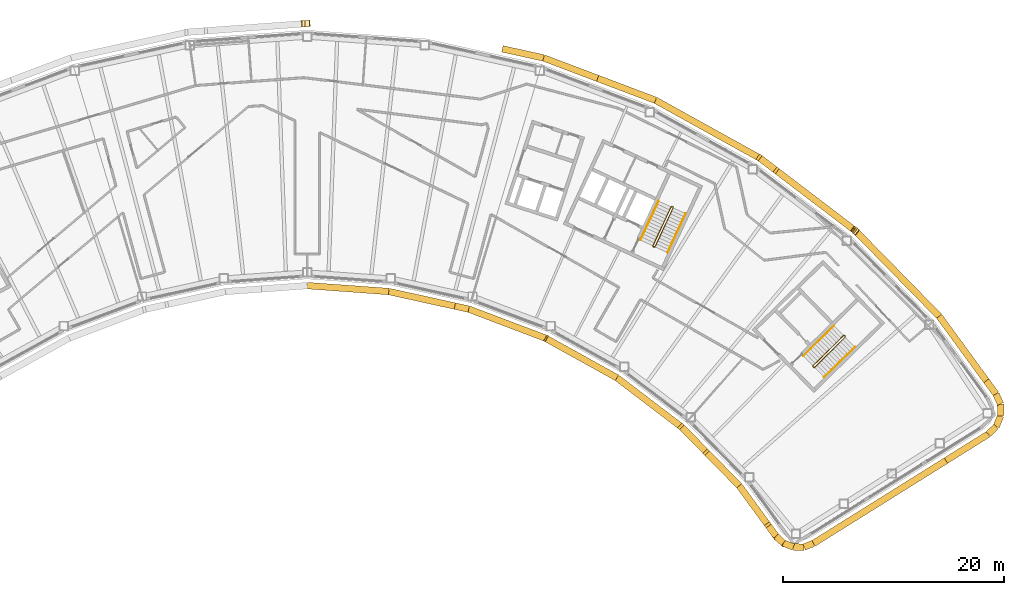
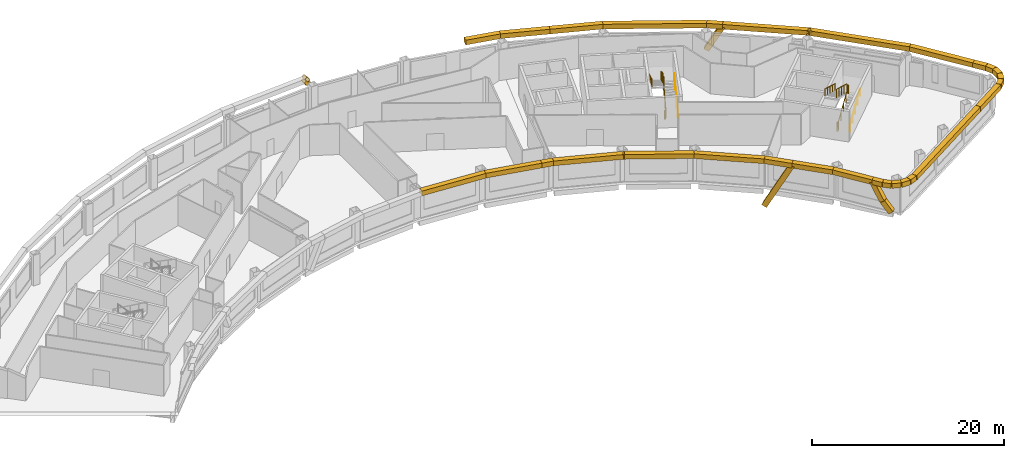
# One storey, part 13 of 13: 39 coverings, 6 railings.
"""IFC4 building model written with IfcOpenShell, lengths in metres."""

from ifc_helpers import new_model, si_unit, direction, frame, origin, origin_2d, place, context, subcontext, project, spatial, rectangle, circle, extrude, material, material_profile, profile_set, type_object, element, save


model = new_model("IFC4")

# Units and contexts
model_context = context("Model", 3, precision=1e-05, world=origin(), true_north=direction((0.0, 1.0)))
body_context = subcontext(model_context, "Body", "Model", "MODEL_VIEW")
ifc_project = project(units=[si_unit("LENGTHUNIT", "METRE"), si_unit("AREAUNIT", "SQUARE_METRE"), si_unit("VOLUMEUNIT", "CUBIC_METRE"), si_unit("PLANEANGLEUNIT", "RADIAN"), si_unit("MASSUNIT", "GRAM", prefix="KILO")], contexts=[model_context])

# Site, building, storey
site_placement = place(None, origin())
site = spatial("IfcSite", under=ifc_project, at=site_placement, CompositionType="ELEMENT")
building_placement = place(site_placement, origin())
building = spatial("IfcBuilding", under=site, at=building_placement, Name="Tuul Gate Civic Tower", CompositionType="ELEMENT")
storey_placement = place(building_placement, frame((0.0, 0.0, 340.699951171875)))
storey = spatial("IfcBuildingStorey", under=building, at=storey_placement, Name="Level 77", CompositionType="ELEMENT", Elevation=340.699951171875)

# Railings
ifc_material_1 = material(Name="Painted steel", Category="steel")
railing_type_1 = type_object("IfcRailingType", Name="Stair guard", PredefinedType="GUARDRAIL", material=ifc_material_1)
railing_1_placement = place(storey_placement, frame((48.10546875, -16.134765625, 0.0)))
element("IfcRailing", 1, at=railing_1_placement, inside=storey, type_object=railing_type_1, Name="Level 77 ST-3 stair guard 1", PredefinedType="GUARDRAIL", context=body_context, shape_type="SweptSolid", body=[
    extrude(circle(Radius=0.02392578125, at=origin_2d()), frame((0.0, 0.0, 1.076171875), z_axis=(-0.698506948293, 0.715603272202, 0.0), x_axis=(-0.715603272202, -0.698506948293, 0.0)), (0.0, 0.0, 1.0), 0.099853515625),
    extrude(circle(Radius=0.02392578125, at=origin_2d()), frame((-0.06982421875, 0.071533203125, 1.076171875), z_axis=(0.644948864628, -0.331432055434, 0.688617277337), x_axis=(0.457068866502, 0.889431307788, 0.0)), (0.0, 0.0, 1.0), 0.218017578125),
    extrude(circle(Radius=0.02392578125, at=origin_2d()), frame((0.07080078125, -0.000732421875, 1.22607421875), z_axis=(0.638731261263, 0.626133563701, 0.447190268558), x_axis=(-0.700029477518, 0.714113947914, 0.0)), (0.0, 0.0, 1.0), 4.3603515625),
    extrude(circle(Radius=0.02392578125, at=origin_2d()), frame((2.85595703125, 2.7294921875, 3.17626953125), z_axis=(0.010380063588, 0.999946125689, 0.0), x_axis=(-0.999946125689, 0.010380063588, 0.0)), (0.0, 0.0, 1.0), 0.070556640625),
    extrude(circle(Radius=0.02392578125, at=origin_2d()), frame((2.856689453125, 2.800048828125, 3.17626953125), z_axis=(-0.699754442181, 0.714383454909, 0.0), x_axis=(-0.714383454909, -0.699754442181, 0.0)), (0.0, 0.0, 1.0), 0.10009765625),
    extrude(circle(Radius=0.02392578125, at=origin_2d()), frame((2.78662109375, 2.87158203125, 3.17626953125), z_axis=(-0.427069033481, 0.004417955519, 0.904208229508), x_axis=(-0.010344274102, -0.999946496565, 0.0)), (0.0, 0.0, 1.0), 0.165771484375),
    extrude(circle(Radius=0.02392578125, at=origin_2d()), frame((2.7158203125, 2.872314453125, 3.326171875), z_axis=(-0.638731261263, -0.626133563701, 0.447190268558), x_axis=(0.700029477518, -0.714113947914, 0.0)), (0.0, 0.0, 1.0), 4.3603515625),
    extrude(circle(Radius=0.02099609375, at=origin_2d()), origin(), (0.0, 0.0, 1.0), 1.052001953125),
    extrude(circle(Radius=0.02099609375, at=origin_2d()), frame((-0.06982421875, 0.071533203125, 0.0)), (0.0, 0.0, 1.0), 1.052001953125),
    extrude(circle(Radius=0.02099609375, at=origin_2d()), frame((0.07080078125, -0.000732421875, 0.150146484375)), (0.0, 0.0, 1.0), 1.052001953125),
    extrude(circle(Radius=0.02099609375, at=origin_2d()), frame((0.76708984375, 0.681884765625, 0.6376953125)), (0.0, 0.0, 1.0), 1.052001953125),
    extrude(circle(Radius=0.02099609375, at=origin_2d()), frame((1.46337890625, 1.3642578125, 1.125)), (0.0, 0.0, 1.0), 1.052001953125),
    extrude(circle(Radius=0.02099609375, at=origin_2d()), frame((2.15966796875, 2.046875, 1.612548828125)), (0.0, 0.0, 1.0), 1.052001953125),
    extrude(circle(Radius=0.02099609375, at=origin_2d()), frame((2.85595703125, 2.7294921875, 2.10009765625)), (0.0, 0.0, 1.0), 1.052001953125),
    extrude(circle(Radius=0.02099609375, at=origin_2d()), frame((2.856689453125, 2.800048828125, 2.10009765625)), (0.0, 0.0, 1.0), 1.052001953125),
    extrude(circle(Radius=0.02099609375, at=origin_2d()), frame((2.78662109375, 2.87158203125, 2.10009765625)), (0.0, 0.0, 1.0), 1.052001953125),
    extrude(circle(Radius=0.02099609375, at=origin_2d()), frame((2.7158203125, 2.872314453125, 2.25)), (0.0, 0.0, 1.0), 1.052001953125),
    extrude(circle(Radius=0.02099609375, at=origin_2d()), frame((2.01953125, 2.189697265625, 2.737548828125)), (0.0, 0.0, 1.0), 1.052001953125),
    extrude(circle(Radius=0.02099609375, at=origin_2d()), frame((1.3232421875, 1.50732421875, 3.22509765625)), (0.0, 0.0, 1.0), 1.052001953125),
    extrude(circle(Radius=0.02099609375, at=origin_2d()), frame((0.626953125, 0.82470703125, 3.71240234375)), (0.0, 0.0, 1.0), 1.052001953125),
    extrude(circle(Radius=0.02099609375, at=origin_2d()), frame((-0.0693359375, 0.14208984375, 4.199951171875)), (0.0, 0.0, 1.0), 1.052001953125),
])
railing_2_placement = place(storey_placement, frame((33.645751953125, -5.238525390625, 0.0)))
element("IfcRailing", 2, at=railing_2_placement, inside=storey, type_object=railing_type_1, Name="Level 77 ST-4 stair guard 1", PredefinedType="GUARDRAIL", context=body_context, shape_type="SweptSolid", body=[
    extrude(circle(Radius=0.02392578125, at=origin_2d()), frame((0.0, 0.0, 1.076171875), z_axis=(-0.906307919131, 0.422617978463, 0.0), x_axis=(-0.422617978463, -0.906307919131, 0.0)), (0.0, 0.0, 1.0), 0.099853515625),
    extrude(circle(Radius=0.02392578125, at=origin_2d()), frame((-0.090576171875, 0.042236328125, 1.076171875), z_axis=(0.720179819621, -0.082882280952, 0.688818956559), x_axis=(0.114330889033, 0.993442724979, 0.0)), (0.0, 0.0, 1.0), 0.218017578125),
    extrude(circle(Radius=0.02392578125, at=origin_2d()), frame((0.06640625, 0.024169921875, 1.22607421875), z_axis=(0.377946903738, 0.810654114417, 0.447209173356), x_axis=(-0.906336612539, 0.422556439746, 0.0)), (0.0, 0.0, 1.0), 4.3603515625),
    extrude(circle(Radius=0.02392578125, at=origin_2d()), frame((1.71435546875, 3.558837890625, 3.17626953125), z_axis=(-0.342020437038, 0.939692513883, 0.0), x_axis=(-0.939692513883, -0.342020437038, 0.0)), (0.0, 0.0, 1.0), 0.070556640625),
    extrude(circle(Radius=0.02392578125, at=origin_2d()), frame((1.690185546875, 3.625244140625, 3.17626953125), z_axis=(-0.906307919131, 0.422617978463, 0.0), x_axis=(-0.422617978463, -0.906307919131, 0.0)), (0.0, 0.0, 1.0), 0.099853515625),
    extrude(circle(Radius=0.02392578125, at=origin_2d()), frame((1.599609375, 3.66748046875, 3.17626953125), z_axis=(-0.40070210376, -0.145843780413, 0.904526072458), x_axis=(0.342020437038, -0.939692513883, 0.0)), (0.0, 0.0, 1.0), 0.165771484375),
    extrude(circle(Radius=0.02392578125, at=origin_2d()), frame((1.533203125, 3.643310546875, 3.326171875), z_axis=(-0.377946903738, -0.810654114417, 0.447209173356), x_axis=(0.906336612539, -0.422556439746, 0.0)), (0.0, 0.0, 1.0), 4.3603515625),
    extrude(circle(Radius=0.02099609375, at=origin_2d()), origin(), (0.0, 0.0, 1.0), 1.052001953125),
    extrude(circle(Radius=0.02099609375, at=origin_2d()), frame((-0.090576171875, 0.042236328125, 0.0)), (0.0, 0.0, 1.0), 1.052001953125),
    extrude(circle(Radius=0.02099609375, at=origin_2d()), frame((0.06640625, 0.024169921875, 0.150146484375)), (0.0, 0.0, 1.0), 1.052001953125),
    extrude(circle(Radius=0.02099609375, at=origin_2d()), frame((0.478515625, 0.90771484375, 0.6376953125)), (0.0, 0.0, 1.0), 1.052001953125),
    extrude(circle(Radius=0.02099609375, at=origin_2d()), frame((0.890380859375, 1.79150390625, 1.125)), (0.0, 0.0, 1.0), 1.052001953125),
    extrude(circle(Radius=0.02099609375, at=origin_2d()), frame((1.30224609375, 2.67529296875, 1.612548828125)), (0.0, 0.0, 1.0), 1.052001953125),
    extrude(circle(Radius=0.02099609375, at=origin_2d()), frame((1.71435546875, 3.558837890625, 2.10009765625)), (0.0, 0.0, 1.0), 1.052001953125),
    extrude(circle(Radius=0.02099609375, at=origin_2d()), frame((1.690185546875, 3.625244140625, 2.10009765625)), (0.0, 0.0, 1.0), 1.052001953125),
    extrude(circle(Radius=0.02099609375, at=origin_2d()), frame((1.599609375, 3.66748046875, 2.10009765625)), (0.0, 0.0, 1.0), 1.052001953125),
    extrude(circle(Radius=0.02099609375, at=origin_2d()), frame((1.533203125, 3.643310546875, 2.25)), (0.0, 0.0, 1.0), 1.052001953125),
    extrude(circle(Radius=0.02099609375, at=origin_2d()), frame((1.12109375, 2.759765625, 2.737548828125)), (0.0, 0.0, 1.0), 1.052001953125),
    extrude(circle(Radius=0.02099609375, at=origin_2d()), frame((0.709228515625, 1.8759765625, 3.22509765625)), (0.0, 0.0, 1.0), 1.052001953125),
    extrude(circle(Radius=0.02099609375, at=origin_2d()), frame((0.29736328125, 0.9921875, 3.71240234375)), (0.0, 0.0, 1.0), 1.052001953125),
    extrude(circle(Radius=0.02099609375, at=origin_2d()), frame((-0.11474609375, 0.108642578125, 4.199951171875)), (0.0, 0.0, 1.0), 1.052001953125),
])
ifc_material_2 = material(Name="Painted steel", Category="steel")
railing_type_2 = type_object("IfcRailingType", Name="Stair handrail", PredefinedType="HANDRAIL", material=ifc_material_2)
railing_3_placement = place(storey_placement, frame((49.05126953125, -17.028076171875, 0.150146484375)))
element("IfcRailing", 3, at=railing_3_placement, inside=storey, type_object=railing_type_2, Name="Level 77 ST-3 stair handrail 1", PredefinedType="HANDRAIL", context=body_context, shape_type="SweptSolid", body=[
    extrude(circle(Radius=0.02392578125, at=origin_2d()), frame((0.0, 0.0, 0.8759765625), z_axis=(0.638753653487, 0.626099522554, 0.447205945863), x_axis=(-0.699997553204, 0.714145241186, 0.0)), (0.0, 0.0, 1.0), 4.3603515625),
    extrude(circle(Radius=0.02099609375, at=origin_2d()), origin(), (0.0, 0.0, 1.0), 0.851806640625),
    extrude(circle(Radius=0.02099609375, at=origin_2d()), frame((0.6962890625, 0.6826171875, 0.487548828125)), (0.0, 0.0, 1.0), 0.851806640625),
    extrude(circle(Radius=0.02099609375, at=origin_2d()), frame((1.392578125, 1.364990234375, 0.97509765625)), (0.0, 0.0, 1.0), 0.851806640625),
    extrude(circle(Radius=0.02099609375, at=origin_2d()), frame((2.0888671875, 2.04736328125, 1.46240234375)), (0.0, 0.0, 1.0), 0.851806640625),
    extrude(circle(Radius=0.02099609375, at=origin_2d()), frame((2.78515625, 2.72998046875, 1.949951171875)), (0.0, 0.0, 1.0), 0.851806640625),
])
railing_4_placement = place(storey_placement, frame((49.9462890625, -12.369873046875, 2.25)))
element("IfcRailing", 4, at=railing_4_placement, inside=storey, type_object=railing_type_2, Name="Level 77 ST-3 stair handrail 2", PredefinedType="HANDRAIL", context=body_context, shape_type="SweptSolid", body=[
    extrude(circle(Radius=0.02392578125, at=origin_2d()), frame((0.0, 0.0, 0.8759765625), z_axis=(-0.638753653487, -0.626099522554, 0.447205945863), x_axis=(0.699997553204, -0.714145241186, 0.0)), (0.0, 0.0, 1.0), 4.3603515625),
    extrude(circle(Radius=0.02099609375, at=origin_2d()), origin(), (0.0, 0.0, 1.0), 0.851806640625),
    extrude(circle(Radius=0.02099609375, at=origin_2d()), frame((-0.6962890625, -0.6826171875, 0.487548828125)), (0.0, 0.0, 1.0), 0.851806640625),
    extrude(circle(Radius=0.02099609375, at=origin_2d()), frame((-1.392578125, -1.364990234375, 0.97509765625)), (0.0, 0.0, 1.0), 0.851806640625),
    extrude(circle(Radius=0.02099609375, at=origin_2d()), frame((-2.0888671875, -2.04736328125, 1.46240234375)), (0.0, 0.0, 1.0), 0.851806640625),
    extrude(circle(Radius=0.02099609375, at=origin_2d()), frame((-2.78515625, -2.72998046875, 1.949951171875)), (0.0, 0.0, 1.0), 0.851806640625),
])
railing_5_placement = place(storey_placement, frame((34.844970703125, -5.74267578125, 0.150146484375)))
element("IfcRailing", 5, at=railing_5_placement, inside=storey, type_object=railing_type_2, Name="Level 77 ST-4 stair handrail 1", PredefinedType="HANDRAIL", context=body_context, shape_type="SweptSolid", body=[
    extrude(circle(Radius=0.02392578125, at=origin_2d()), frame((0.0, 0.0, 0.8759765625), z_axis=(0.377994896215, 0.810636958585, 0.447199709091), x_axis=(-0.906312636903, 0.422607861012, 0.0)), (0.0, 0.0, 1.0), 4.3603515625),
    extrude(circle(Radius=0.02099609375, at=origin_2d()), origin(), (0.0, 0.0, 1.0), 0.851806640625),
    extrude(circle(Radius=0.02099609375, at=origin_2d()), frame((0.412109375, 0.8837890625, 0.487548828125)), (0.0, 0.0, 1.0), 0.851806640625),
    extrude(circle(Radius=0.02099609375, at=origin_2d()), frame((0.82421875, 1.767333984375, 0.97509765625)), (0.0, 0.0, 1.0), 0.851806640625),
    extrude(circle(Radius=0.02099609375, at=origin_2d()), frame((1.236083984375, 2.65087890625, 1.46240234375)), (0.0, 0.0, 1.0), 0.851806640625),
    extrude(circle(Radius=0.02099609375, at=origin_2d()), frame((1.648193359375, 3.53466796875, 1.949951171875)), (0.0, 0.0, 1.0), 0.851806640625),
])
railing_6_placement = place(storey_placement, frame((34.046142578125, -1.06689453125, 2.25)))
element("IfcRailing", 6, at=railing_6_placement, inside=storey, type_object=railing_type_2, Name="Level 77 ST-4 stair handrail 2", PredefinedType="HANDRAIL", context=body_context, shape_type="SweptSolid", body=[
    extrude(circle(Radius=0.02392578125, at=origin_2d()), frame((0.0, 0.0, 0.8759765625), z_axis=(-0.377994896215, -0.810636958585, 0.447199709091), x_axis=(0.906312636903, -0.422607861012, 0.0)), (0.0, 0.0, 1.0), 4.3603515625),
    extrude(circle(Radius=0.02099609375, at=origin_2d()), origin(), (0.0, 0.0, 1.0), 0.851806640625),
    extrude(circle(Radius=0.02099609375, at=origin_2d()), frame((-0.412109375, -0.8837890625, 0.487548828125)), (0.0, 0.0, 1.0), 0.851806640625),
    extrude(circle(Radius=0.02099609375, at=origin_2d()), frame((-0.82421875, -1.767333984375, 0.97509765625)), (0.0, 0.0, 1.0), 0.851806640625),
    extrude(circle(Radius=0.02099609375, at=origin_2d()), frame((-1.236083984375, -2.65087890625, 1.46240234375)), (0.0, 0.0, 1.0), 0.851806640625),
    extrude(circle(Radius=0.02099609375, at=origin_2d()), frame((-1.648193359375, -3.53466796875, 1.949951171875)), (0.0, 0.0, 1.0), 0.851806640625),
])

# Coverings
ifc_material_3 = material(Name="Terracotta baguette", Category="masonry")
ifc_material_profile = material_profile(ifc_material_3, rectangle(XDim=0.60009765625, YDim=0.60009765625, at=origin_2d()), Name="Terracotta baguette screen frame")
ifc_profile_set = profile_set([ifc_material_profile], Name="Terracotta baguette")
covering_type = type_object("IfcCoveringType", Name="Terracotta baguette screen frame", PredefinedType="CLADDING", material=ifc_profile_set)
covering_1_placement = place(storey_placement, frame((60.09326171875, -24.597900390625, 3.85009765625), z_axis=(0.848043753002, 0.529926214669, 0.0), x_axis=(-0.529926214669, 0.848043753002, 0.0)))
element("IfcCovering", 7, at=covering_1_placement, inside=storey, type_object=covering_type, Name="Baguette 11", PredefinedType="CLADDING", context=body_context, shape_type="SweptSolid", body=[
    extrude(rectangle(XDim=0.60009765625, YDim=0.60009765625, at=origin_2d()), origin(), (0.0, 0.0, 1.0), 4.5263671875),
])
covering_2_placement = place(storey_placement, frame((63.931884765625, -22.19921875, 3.85009765625), z_axis=(0.722132123325, 0.691755156441, 0.0), x_axis=(-0.691755156441, 0.722132123325, 0.0)))
element("IfcCovering", 8, at=covering_2_placement, inside=storey, type_object=covering_type, Name="Baguette 12", PredefinedType="CLADDING", context=body_context, shape_type="SweptSolid", body=[
    extrude(rectangle(XDim=0.60009765625, YDim=0.60009765625, at=origin_2d()), origin(), (0.0, 0.0, 1.0), 0.988525390625),
])
covering_3_placement = place(storey_placement, frame((64.645751953125, -21.515380859375, 3.85009765625), z_axis=(0.38567152588, 0.92263615479, 0.0), x_axis=(-0.92263615479, 0.38567152588, 0.0)))
element("IfcCovering", 9, at=covering_3_placement, inside=storey, type_object=covering_type, Name="Baguette 13", PredefinedType="CLADDING", context=body_context, shape_type="SweptSolid", body=[
    extrude(rectangle(XDim=0.60009765625, YDim=0.60009765625, at=origin_2d()), origin(), (0.0, 0.0, 1.0), 1.066650390625),
])
covering_4_placement = place(storey_placement, frame((65.05712890625, -20.53125, 3.85009765625), z_axis=(-0.014630349823, 0.999892970704, 0.0), x_axis=(-0.999892970704, -0.014630349823, 0.0)))
element("IfcCovering", 10, at=covering_4_placement, inside=storey, type_object=covering_type, Name="Baguette 14", PredefinedType="CLADDING", context=body_context, shape_type="SweptSolid", body=[
    extrude(rectangle(XDim=0.60009765625, YDim=0.60009765625, at=origin_2d()), origin(), (0.0, 0.0, 1.0), 1.06787109375),
])
covering_5_placement = place(storey_placement, frame((65.04150390625, -19.46337890625, 3.85009765625), z_axis=(-0.413393330634, 0.910552554325, 0.0), x_axis=(-0.910552554325, -0.413393330634, 0.0)))
element("IfcCovering", 11, at=covering_5_placement, inside=storey, type_object=covering_type, Name="Baguette 15", PredefinedType="CLADDING", context=body_context, shape_type="SweptSolid", body=[
    extrude(rectangle(XDim=0.60009765625, YDim=0.60009765625, at=origin_2d()), origin(), (0.0, 0.0, 1.0), 0.988037109375),
])
covering_6_placement = place(storey_placement, frame((64.633056640625, -18.563720703125, 3.85009765625), z_axis=(-0.589705276406, 0.80761852813, 0.0), x_axis=(-0.80761852813, -0.589705276406, 0.0)))
element("IfcCovering", 12, at=covering_6_placement, inside=storey, type_object=covering_type, Name="Baguette 16", PredefinedType="CLADDING", context=body_context, shape_type="SweptSolid", body=[
    extrude(rectangle(XDim=0.60009765625, YDim=0.60009765625, at=origin_2d()), origin(), (0.0, 0.0, 1.0), 1.49462890625),
])
covering_7_placement = place(storey_placement, frame((51.885498046875, -3.76123046875, 3.933837890625), z_axis=(-0.583844857279, 0.445305399619, -0.678843342531), x_axis=(-0.606449175924, -0.795122252878, 0.0)))
element("IfcCovering", 13, at=covering_7_placement, inside=storey, type_object=covering_type, Name="Baguette 30", PredefinedType="CLADDING", context=body_context, shape_type="SweptSolid", body=[
    extrude(rectangle(XDim=0.60009765625, YDim=0.60009765625, at=origin_2d()), origin(), (0.0, 0.0, 1.0), 0.123291015625),
])
covering_8_placement = place(storey_placement, frame((51.8134765625, -3.706298828125, 3.85009765625), z_axis=(0.377826807686, -0.288172988913, -0.879888192815), x_axis=(0.606449175924, 0.795122252878, 0.0)))
element("IfcCovering", 14, at=covering_8_placement, inside=storey, type_object=covering_type, Name="Baguette 34", PredefinedType="CLADDING", context=body_context, shape_type="SweptSolid", body=[
    extrude(rectangle(XDim=0.60009765625, YDim=0.60009765625, at=origin_2d()), origin(), (0.0, 0.0, 1.0), 0.190673828125),
])
covering_9_placement = place(storey_placement, frame((51.8134765625, -3.706298828125, 3.85009765625), z_axis=(-0.795609596357, 0.605809681488, 0.0), x_axis=(-0.605809681488, -0.795609596357, 0.0)))
element("IfcCovering", 15, at=covering_9_placement, inside=storey, type_object=covering_type, Name="Baguette 36", PredefinedType="CLADDING", context=body_context, shape_type="SweptSolid", body=[
    extrude(rectangle(XDim=0.60009765625, YDim=0.60009765625, at=origin_2d()), origin(), (0.0, 0.0, 1.0), 9.072265625),
])
covering_10_placement = place(storey_placement, frame((44.595458984375, 1.789794921875, 3.85009765625), z_axis=(-0.37804535846, 0.287828427225, -0.879907099317), x_axis=(-0.605768691074, -0.795640806467, 0.0)))
element("IfcCovering", 16, at=covering_10_placement, inside=storey, type_object=covering_type, Name="Baguette 41", PredefinedType="CLADDING", context=body_context, shape_type="SweptSolid", body=[
    extrude(rectangle(XDim=0.60009765625, YDim=0.60009765625, at=origin_2d()), origin(), (0.0, 0.0, 1.0), 3.55322265625),
])
covering_11_placement = place(storey_placement, frame((28.518310546875, 10.055908203125, 3.85009765625), z_axis=(-0.935342449407, 0.35374355448, 0.0), x_axis=(-0.35374355448, -0.935342449407, 0.0)))
element("IfcCovering", 17, at=covering_11_placement, inside=storey, type_object=covering_type, Name="Baguette 57", PredefinedType="CLADDING", context=body_context, shape_type="SweptSolid", body=[
    extrude(rectangle(XDim=0.60009765625, YDim=0.60009765625, at=origin_2d()), origin(), (0.0, 0.0, 1.0), 5.245849609375),
])
covering_12_placement = place(storey_placement, frame((23.611572265625, 11.91162109375, 3.85009765625), z_axis=(-0.976568358032, 0.215207439673, 0.0), x_axis=(-0.215207439673, -0.976568358032, 0.0)))
element("IfcCovering", 18, at=covering_12_placement, inside=storey, type_object=covering_type, Name="Baguette 58", PredefinedType="CLADDING", context=body_context, shape_type="SweptSolid", body=[
    extrude(rectangle(XDim=0.60009765625, YDim=0.60009765625, at=origin_2d()), origin(), (0.0, 0.0, 1.0), 3.826416015625),
])
covering_13_placement = place(storey_placement, frame((2.19189453125, 15.031005859375, 4.099365234375), z_axis=(-0.731587639047, -0.053254787192, -0.679664221535), x_axis=(0.072601349588, -0.997361039964, 0.0)))
element("IfcCovering", 19, at=covering_13_placement, inside=storey, type_object=covering_type, Name="Baguette 72", PredefinedType="CLADDING", context=body_context, shape_type="SweptSolid", body=[
    extrude(rectangle(XDim=0.60009765625, YDim=0.60009765625, at=origin_2d()), origin(), (0.0, 0.0, 1.0), 0.36669921875),
])
covering_14_placement = place(storey_placement, frame((1.923583984375, 15.011474609375, 3.85009765625), z_axis=(0.473638043469, 0.034477746567, -0.880044481132), x_axis=(-0.072601349588, 0.997361039964, 0.0)))
element("IfcCovering", 20, at=covering_14_placement, inside=storey, type_object=covering_type, Name="Baguette 76", PredefinedType="CLADDING", context=body_context, shape_type="SweptSolid", body=[
    extrude(rectangle(XDim=0.60009765625, YDim=0.60009765625, at=origin_2d()), origin(), (0.0, 0.0, 1.0), 0.56640625),
])
covering_15_placement = place(storey_placement, frame((15.569580078125, -10.5849609375, 3.85009765625), z_axis=(0.976558162371, -0.215253700333, 0.0), x_axis=(0.215253700333, 0.976558162371, 0.0)))
element("IfcCovering", 21, at=covering_15_placement, inside=storey, type_object=covering_type, Name="Baguette 233", PredefinedType="CLADDING", context=body_context, shape_type="SweptSolid", body=[
    extrude(rectangle(XDim=0.60009765625, YDim=0.60009765625, at=origin_2d()), origin(), (0.0, 0.0, 1.0), 1.295166015625),
])
covering_16_placement = place(storey_placement, frame((16.83447265625, -10.86376953125, 3.85009765625), z_axis=(0.935368082117, -0.353675770951, 0.0), x_axis=(0.353675770951, 0.935368082117, 0.0)))
element("IfcCovering", 22, at=covering_16_placement, inside=storey, type_object=covering_type, Name="Baguette 234", PredefinedType="CLADDING", context=body_context, shape_type="SweptSolid", body=[
    extrude(rectangle(XDim=0.60009765625, YDim=0.60009765625, at=origin_2d()), origin(), (0.0, 0.0, 1.0), 7.41796875),
])
covering_17_placement = place(storey_placement, frame((23.77294921875, -13.4873046875, 3.85009765625), z_axis=(0.874240236697, -0.485493572089, 0.0), x_axis=(0.485493572089, 0.874240236697, 0.0)))
element("IfcCovering", 23, at=covering_17_placement, inside=storey, type_object=covering_type, Name="Baguette 235", PredefinedType="CLADDING", context=body_context, shape_type="SweptSolid", body=[
    extrude(rectangle(XDim=0.60009765625, YDim=0.60009765625, at=origin_2d()), origin(), (0.0, 0.0, 1.0), 0.138671875),
])
covering_18_placement = place(storey_placement, frame((38.267578125, -23.724853515625, 3.85009765625), z_axis=(-0.326377311382, 0.332849597158, -0.884697121215), x_axis=(-0.714014739077, -0.700130668076, 0.0)))
element("IfcCovering", 24, at=covering_18_placement, inside=storey, type_object=covering_type, Name="Baguette 254", PredefinedType="CLADDING", context=body_context, shape_type="SweptSolid", body=[
    extrude(rectangle(XDim=0.60009765625, YDim=0.60009765625, at=origin_2d()), origin(), (0.0, 0.0, 1.0), 6.4501953125),
])
covering_19_placement = place(storey_placement, frame((38.267578125, -23.724853515625, 3.85009765625), z_axis=(0.700097974416, -0.714046795538, 0.0), x_axis=(0.714046795538, 0.700097974416, 0.0)))
element("IfcCovering", 25, at=covering_19_placement, inside=storey, type_object=covering_type, Name="Baguette 256", PredefinedType="CLADDING", context=body_context, shape_type="SweptSolid", body=[
    extrude(rectangle(XDim=0.60009765625, YDim=0.60009765625, at=origin_2d()), origin(), (0.0, 0.0, 1.0), 4.41064453125),
])
covering_20_placement = place(storey_placement, frame((41.35546875, -26.874267578125, 3.85009765625), z_axis=(0.589725332229, -0.807603883427, 0.0), x_axis=(0.807603883427, 0.589725332229, 0.0)))
element("IfcCovering", 26, at=covering_20_placement, inside=storey, type_object=covering_type, Name="Baguette 257", PredefinedType="CLADDING", context=body_context, shape_type="SweptSolid", body=[
    extrude(rectangle(XDim=0.60009765625, YDim=0.60009765625, at=origin_2d()), origin(), (0.0, 0.0, 1.0), 4.51904296875),
])
covering_21_placement = place(storey_placement, frame((44.0205078125, -30.52392578125, 3.85009765625), z_axis=(0.278681482042, -0.381622395998, -0.881306404402), x_axis=(0.807589091071, 0.589745589202, 0.0)))
element("IfcCovering", 27, at=covering_21_placement, inside=storey, type_object=covering_type, Name="Baguette 270", PredefinedType="CLADDING", context=body_context, shape_type="SweptSolid", body=[
    extrude(rectangle(XDim=0.60009765625, YDim=0.60009765625, at=origin_2d()), origin(), (0.0, 0.0, 1.0), 2.43798828125),
])
covering_22_placement = place(storey_placement, frame((44.699951171875, -31.454345703125, 1.701416015625), z_axis=(0.418310087494, -0.391612746103, -0.819546293866), x_axis=(0.68342735956, 0.730018523193, 0.0)))
element("IfcCovering", 28, at=covering_22_placement, inside=storey, type_object=covering_type, Name="Baguette 271", PredefinedType="CLADDING", context=body_context, shape_type="SweptSolid", body=[
    extrude(rectangle(XDim=0.60009765625, YDim=0.60009765625, at=origin_2d()), origin(), (0.0, 0.0, 1.0), 1.572998046875),
])
covering_23_placement = place(storey_placement, frame((63.751708984375, -17.356689453125, 3.85009765625), z_axis=(-0.589770536042, 0.807570872937, 0.0), x_axis=(-0.807570872937, -0.589770536042, 0.0)))
element("IfcCovering", 29, at=covering_23_placement, inside=storey, type_object=covering_type, Name="Baguette 288", PredefinedType="CLADDING", context=body_context, shape_type="SweptSolid", body=[
    extrude(rectangle(XDim=0.60009765625, YDim=0.60009765625, at=origin_2d()), origin(), (0.0, 0.0, 1.0), 7.240234375),
])
covering_24_placement = place(storey_placement, frame((59.481689453125, -11.509765625, 3.85009765625), z_axis=(-0.70005206482, 0.714091805401, 0.0), x_axis=(-0.714091805401, -0.70005206482, 0.0)))
element("IfcCovering", 30, at=covering_24_placement, inside=storey, type_object=covering_type, Name="Baguette 289", PredefinedType="CLADDING", context=body_context, shape_type="SweptSolid", body=[
    extrude(rectangle(XDim=0.60009765625, YDim=0.60009765625, at=origin_2d()), origin(), (0.0, 0.0, 1.0), 10.850830078125),
])
covering_25_placement = place(storey_placement, frame((51.885498046875, -3.76123046875, 3.85009765625), z_axis=(-0.795122252878, 0.606449175924, 0.0), x_axis=(-0.606449175924, -0.795122252878, 0.0)))
element("IfcCovering", 31, at=covering_25_placement, inside=storey, type_object=covering_type, Name="Baguette 290", PredefinedType="CLADDING", context=body_context, shape_type="SweptSolid", body=[
    extrude(rectangle(XDim=0.60009765625, YDim=0.60009765625, at=origin_2d()), origin(), (0.0, 0.0, 1.0), 0.090576171875),
])
covering_26_placement = place(storey_placement, frame((44.595458984375, 1.789794921875, 3.85009765625), z_axis=(-0.795640806467, 0.605768691074, 0.0), x_axis=(-0.605768691074, -0.795640806467, 0.0)))
element("IfcCovering", 32, at=covering_26_placement, inside=storey, type_object=covering_type, Name="Baguette 294", PredefinedType="CLADDING", context=body_context, shape_type="SweptSolid", body=[
    extrude(rectangle(XDim=0.60009765625, YDim=0.60009765625, at=origin_2d()), origin(), (0.0, 0.0, 1.0), 1.688232421875),
])
covering_27_placement = place(storey_placement, frame((43.252197265625, 2.8125, 3.85009765625), z_axis=(-0.874632286689, 0.484786925444, 0.0), x_axis=(-0.484786925444, -0.874632286689, 0.0)))
element("IfcCovering", 33, at=covering_27_placement, inside=storey, type_object=covering_type, Name="Baguette 295", PredefinedType="CLADDING", context=body_context, shape_type="SweptSolid", body=[
    extrude(rectangle(XDim=0.60009765625, YDim=0.60009765625, at=origin_2d()), origin(), (0.0, 0.0, 1.0), 10.8515625),
])
covering_28_placement = place(storey_placement, frame((33.760986328125, 8.0732421875, 3.85009765625), z_axis=(-0.935348197385, 0.353728355731, 0.0), x_axis=(-0.353728355731, -0.935348197385, 0.0)))
element("IfcCovering", 34, at=covering_28_placement, inside=storey, type_object=covering_type, Name="Baguette 296", PredefinedType="CLADDING", context=body_context, shape_type="SweptSolid", body=[
    extrude(rectangle(XDim=0.60009765625, YDim=0.60009765625, at=origin_2d()), origin(), (0.0, 0.0, 1.0), 5.60498046875),
])
covering_29_placement = place(storey_placement, frame((2.19189453125, -8.73095703125, 3.85009765625), z_axis=(0.997384830366, -0.072273786091, 0.0), x_axis=(0.072273786091, 0.997384830366, 0.0)))
element("IfcCovering", 35, at=covering_29_placement, inside=storey, type_object=covering_type, Name="Baguette 358", PredefinedType="CLADDING", context=body_context, shape_type="SweptSolid", body=[
    extrude(rectangle(XDim=0.60009765625, YDim=0.60009765625, at=origin_2d()), origin(), (0.0, 0.0, 1.0), 7.41796875),
])
covering_30_placement = place(storey_placement, frame((9.590576171875, -9.26708984375, 3.85009765625), z_axis=(0.976559039251, -0.215249722086, 0.0), x_axis=(0.215249722086, 0.976559039251, 0.0)))
element("IfcCovering", 36, at=covering_30_placement, inside=storey, type_object=covering_type, Name="Baguette 359", PredefinedType="CLADDING", context=body_context, shape_type="SweptSolid", body=[
    extrude(rectangle(XDim=0.60009765625, YDim=0.60009765625, at=origin_2d()), origin(), (0.0, 0.0, 1.0), 6.12255859375),
])
covering_31_placement = place(storey_placement, frame((23.894287109375, -13.5546875, 3.85009765625), z_axis=(0.874637788329, -0.484776999483, 0.0), x_axis=(0.484776999483, 0.874637788329, 0.0)))
element("IfcCovering", 37, at=covering_31_placement, inside=storey, type_object=covering_type, Name="Baguette 366", PredefinedType="CLADDING", context=body_context, shape_type="SweptSolid", body=[
    extrude(rectangle(XDim=0.60009765625, YDim=0.60009765625, at=origin_2d()), origin(), (0.0, 0.0, 1.0), 7.279296875),
])
covering_32_placement = place(storey_placement, frame((30.260986328125, -17.08349609375, 3.85009765625), z_axis=(0.795554853025, -0.605881569144, 0.0), x_axis=(0.605881569144, 0.795554853025, 0.0)))
element("IfcCovering", 38, at=covering_32_placement, inside=storey, type_object=covering_type, Name="Baguette 367", PredefinedType="CLADDING", context=body_context, shape_type="SweptSolid", body=[
    extrude(rectangle(XDim=0.60009765625, YDim=0.60009765625, at=origin_2d()), origin(), (0.0, 0.0, 1.0), 7.41796875),
])
covering_33_placement = place(storey_placement, frame((36.162353515625, -21.577880859375, 3.85009765625), z_axis=(0.700130668076, -0.714014739077, 0.0), x_axis=(0.714014739077, 0.700130668076, 0.0)))
element("IfcCovering", 39, at=covering_33_placement, inside=storey, type_object=covering_type, Name="Baguette 368", PredefinedType="CLADDING", context=body_context, shape_type="SweptSolid", body=[
    extrude(rectangle(XDim=0.60009765625, YDim=0.60009765625, at=origin_2d()), origin(), (0.0, 0.0, 1.0), 3.0068359375),
])
covering_34_placement = place(storey_placement, frame((44.0205078125, -30.52392578125, 3.85009765625), z_axis=(0.589745589202, -0.807589091071, 0.0), x_axis=(0.807589091071, 0.589745589202, 0.0)))
element("IfcCovering", 40, at=covering_34_placement, inside=storey, type_object=covering_type, Name="Baguette 375", PredefinedType="CLADDING", context=body_context, shape_type="SweptSolid", body=[
    extrude(rectangle(XDim=0.60009765625, YDim=0.60009765625, at=origin_2d()), origin(), (0.0, 0.0, 1.0), 1.152099609375),
])
covering_35_placement = place(storey_placement, frame((44.699951171875, -31.454345703125, 3.85009765625), z_axis=(0.730018523193, -0.68342735956, 0.0), x_axis=(0.68342735956, 0.730018523193, 0.0)))
element("IfcCovering", 41, at=covering_35_placement, inside=storey, type_object=covering_type, Name="Baguette 376", PredefinedType="CLADDING", context=body_context, shape_type="SweptSolid", body=[
    extrude(rectangle(XDim=0.60009765625, YDim=0.60009765625, at=origin_2d()), origin(), (0.0, 0.0, 1.0), 0.9013671875),
])
covering_36_placement = place(storey_placement, frame((45.35791015625, -32.0703125, 3.85009765625), z_axis=(0.929097482407, -0.369834920181, 0.0), x_axis=(0.369834920181, 0.929097482407, 0.0)))
element("IfcCovering", 42, at=covering_36_placement, inside=storey, type_object=covering_type, Name="Baguette 377", PredefinedType="CLADDING", context=body_context, shape_type="SweptSolid", body=[
    extrude(rectangle(XDim=0.60009765625, YDim=0.60009765625, at=origin_2d()), origin(), (0.0, 0.0, 1.0), 0.974365234375),
])
covering_37_placement = place(storey_placement, frame((46.26318359375, -32.4306640625, 3.85009765625), z_axis=(0.999996195982, -0.002758264332, 0.0), x_axis=(0.002758264332, 0.999996195982, 0.0)))
element("IfcCovering", 43, at=covering_37_placement, inside=storey, type_object=covering_type, Name="Baguette 378", PredefinedType="CLADDING", context=body_context, shape_type="SweptSolid", body=[
    extrude(rectangle(XDim=0.60009765625, YDim=0.60009765625, at=origin_2d()), origin(), (0.0, 0.0, 1.0), 0.9736328125),
])
covering_38_placement = place(storey_placement, frame((47.23681640625, -32.433349609375, 3.85009765625), z_axis=(0.931801188997, 0.362969067807, 0.0), x_axis=(-0.362969067807, 0.931801188997, 0.0)))
element("IfcCovering", 44, at=covering_38_placement, inside=storey, type_object=covering_type, Name="Baguette 379", PredefinedType="CLADDING", context=body_context, shape_type="SweptSolid", body=[
    extrude(rectangle(XDim=0.60009765625, YDim=0.60009765625, at=origin_2d()), origin(), (0.0, 0.0, 1.0), 0.9013671875),
])
covering_39_placement = place(storey_placement, frame((48.07666015625, -32.106201171875, 3.85009765625), z_axis=(0.84806412021, 0.529893619524, 0.0), x_axis=(-0.529893619524, 0.84806412021, 0.0)))
element("IfcCovering", 45, at=covering_39_placement, inside=storey, type_object=covering_type, Name="Baguette 380", PredefinedType="CLADDING", context=body_context, shape_type="SweptSolid", body=[
    extrude(rectangle(XDim=0.60009765625, YDim=0.60009765625, at=origin_2d()), origin(), (0.0, 0.0, 1.0), 14.16943359375),
])

save(model, "model.ifc")
